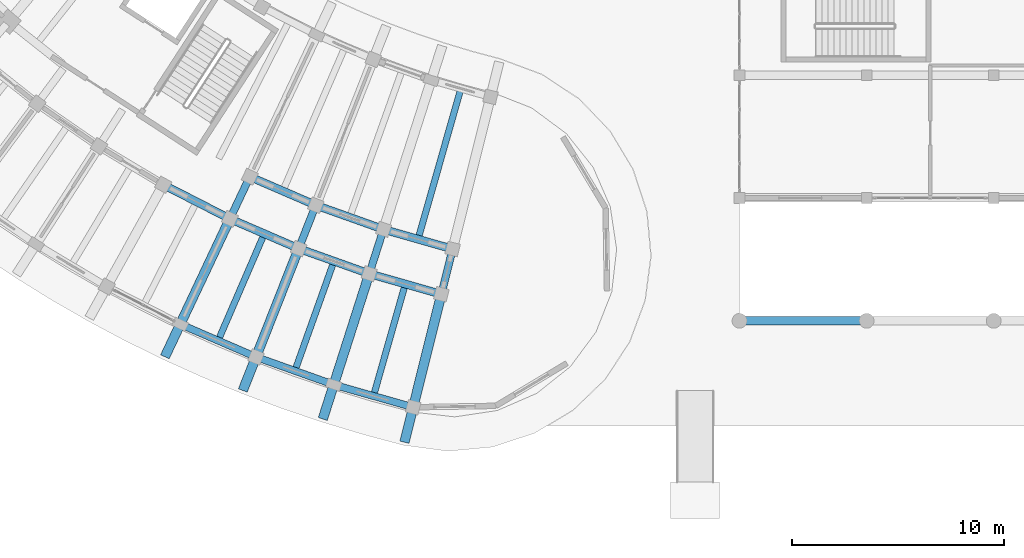
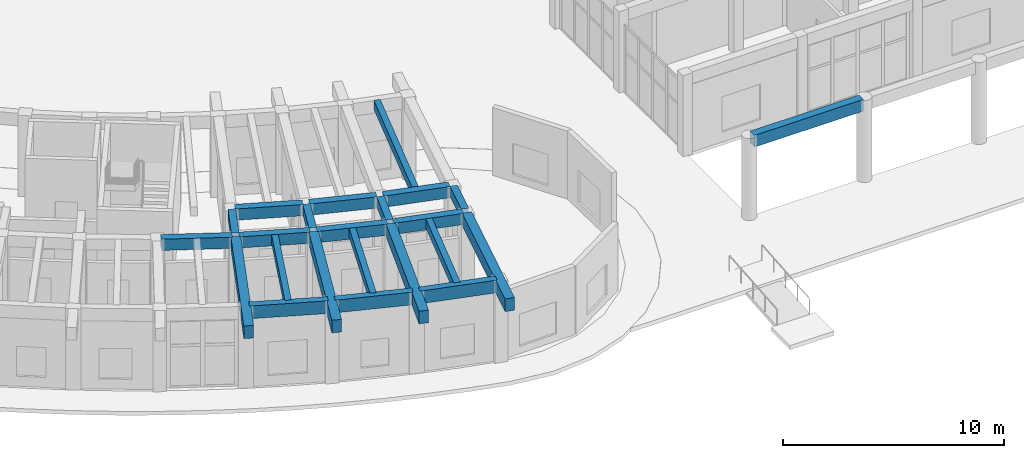
# One storey, part 10 of 132: 23 beams.
"""IFC4 building model written with IfcOpenShell, lengths in metres."""

from ifc_helpers import new_model, si_unit, direction, frame, origin, origin_2d, place, context, subcontext, project, spatial, rectangle, extrude, material, material_profile, profile_set, type_object, element, save


model = new_model("IFC4")

# Units and contexts
model_context = context("Model", 3, precision=1e-05, world=origin(), true_north=direction((0.0, 1.0)))
body_context = subcontext(model_context, "Body", "Model", "MODEL_VIEW")
ifc_project = project(units=[si_unit("LENGTHUNIT", "METRE"), si_unit("AREAUNIT", "SQUARE_METRE"), si_unit("VOLUMEUNIT", "CUBIC_METRE"), si_unit("PLANEANGLEUNIT", "RADIAN"), si_unit("MASSUNIT", "GRAM", prefix="KILO")], contexts=[model_context])

# Site, building, storey
site_placement = place(None, origin())
site = spatial("IfcSite", under=ifc_project, at=site_placement, CompositionType="ELEMENT")
building_placement = place(site_placement, origin())
building = spatial("IfcBuilding", under=site, at=building_placement, Name="Tanwirah Colonnade Gardens", CompositionType="ELEMENT")
storey_placement = place(building_placement, origin())
storey = spatial("IfcBuildingStorey", under=building, at=storey_placement, Name="L00", CompositionType="ELEMENT", Elevation=0.0)

# Beams
ifc_material_1 = material(Name="Precast concrete C40/50", Category="concrete")
ifc_material_profile_1 = material_profile(ifc_material_1, rectangle(XDim=0.35009765625, YDim=0.550048828125, at=origin_2d()), Name="PC-BM 350x550")
ifc_profile_set_1 = profile_set([ifc_material_profile_1], Name="Precast concrete C40/50")
beam_type_1 = type_object("IfcBeamType", Name="BM-PC350A", PredefinedType="BEAM", material=ifc_profile_set_1)
beam_1_placement = place(storey_placement, frame((42.818359375, 17.46826171875, 4.2099609375), z_axis=(-0.426483812015, -0.904495195172, 0.0), x_axis=(0.904495195172, -0.426483812015, 0.0)))
element("IfcBeam", 1, at=beam_1_placement, inside=storey, type_object=beam_type_1, Name="Block C L00 Corridor Tie Beam 13", PredefinedType="BEAM", context=body_context, shape_type="SweptSolid", body=[
    extrude(rectangle(XDim=0.35009765625, YDim=0.550048828125, at=origin_2d()), origin(), (0.0, 0.0, 1.0), 1.89990234375),
])
beam_2_placement = place(storey_placement, frame((45.94189453125, 16.1181640625, 4.2099609375), z_axis=(-0.366511033969, -0.930413704746, 0.0), x_axis=(0.930413704746, -0.366511033969, 0.0)))
element("IfcBeam", 2, at=beam_2_placement, inside=storey, type_object=beam_type_1, Name="Block C L00 Corridor Tie Beam 14", PredefinedType="BEAM", context=body_context, shape_type="SweptSolid", body=[
    extrude(rectangle(XDim=0.35009765625, YDim=0.550048828125, at=origin_2d()), origin(), (0.0, 0.0, 1.0), 1.899658203125),
])
for number, where, z_axis, x_axis, name in (
    (3, (49.14697265625, 14.975341796875, 4.2099609375), (-0.304794376797, -0.952418179096, 0.0), (0.952418179096, -0.304794376797, 0.0), "Block C L00 Corridor Tie Beam 15"),
    (4, (52.420166015625, 14.044677734375, 4.2099609375), (-0.241961122321, -0.970285945114, 0.0), (0.970285945114, -0.241961122321, 0.0), "Block C L00 Corridor Tie Beam 16"),
):
    element("IfcBeam", number, at=place(storey_placement, frame(where, z_axis=z_axis, x_axis=x_axis)), inside=storey, type_object=beam_type_1, Name=name, PredefinedType="BEAM", context=body_context, shape_type="SweptSolid", body=[
        extrude(rectangle(XDim=0.35009765625, YDim=0.550048828125, at=origin_2d()), origin(), (0.0, 0.0, 1.0), 1.89990234375),
    ])
ifc_material_profile_2 = material_profile(ifc_material_1, rectangle(XDim=0.3798828125, YDim=0.6201171875, at=origin_2d()), Name="PC-BM 380x620")
ifc_profile_set_2 = profile_set([ifc_material_profile_2], Name="Precast concrete C40/50")
beam_type_2 = type_object("IfcBeamType", Name="BM-PC380", PredefinedType="BEAM", material=ifc_profile_set_2)
beam_3_placement = place(storey_placement, frame((38.929443359375, 17.158447265625, 4.175048828125), z_axis=(0.890025451153, -0.45591084249, 0.0), x_axis=(0.45591084249, 0.890025451153, 0.0)))
element("IfcBeam", 5, at=beam_3_placement, inside=storey, type_object=beam_type_2, Name="Block C L00 Circumferential Beam 12-R2", PredefinedType="BEAM", context=body_context, shape_type="SweptSolid", body=[
    extrude(rectangle(XDim=0.3798828125, YDim=0.6201171875, at=origin_2d()), origin(), (0.0, 0.0, 1.0), 3.237060546875),
])
beam_4_placement = place(storey_placement, frame((43.02001953125, 17.54443359375, 4.175048828125), z_axis=(0.917936292782, -0.396727819032, 0.0), x_axis=(0.396727819032, 0.917936292782, 0.0)))
element("IfcBeam", 6, at=beam_4_placement, inside=storey, type_object=beam_type_2, Name="Block C L00 Circumferential Beam 13-R1", PredefinedType="BEAM", context=body_context, shape_type="SweptSolid", body=[
    extrude(rectangle(XDim=0.3798828125, YDim=0.6201171875, at=origin_2d()), origin(), (0.0, 0.0, 1.0), 3.093017578125),
])
beam_5_placement = place(storey_placement, frame((42.08154296875, 15.5546875, 4.175048828125), z_axis=(0.917943156181, -0.396711938338, 0.0), x_axis=(0.396711938338, 0.917943156181, 0.0)))
element("IfcBeam", 7, at=beam_5_placement, inside=storey, type_object=beam_type_2, Name="Block C L00 Circumferential Beam 13-R2", PredefinedType="BEAM", context=body_context, shape_type="SweptSolid", body=[
    extrude(rectangle(XDim=0.3798828125, YDim=0.6201171875, at=origin_2d()), origin(), (0.0, 0.0, 1.0), 3.237060546875),
])
beam_6_placement = place(storey_placement, frame((46.13818359375, 16.20751953125, 4.175048828125), z_axis=(0.941911444877, -0.335861325564, 0.0), x_axis=(0.335861325564, 0.941911444877, 0.0)))
element("IfcBeam", 8, at=beam_6_placement, inside=storey, type_object=beam_type_2, Name="Block C L00 Circumferential Beam 14-R1", PredefinedType="BEAM", context=body_context, shape_type="SweptSolid", body=[
    extrude(rectangle(XDim=0.3798828125, YDim=0.6201171875, at=origin_2d()), origin(), (0.0, 0.0, 1.0), 3.093017578125),
])
beam_7_placement = place(storey_placement, frame((45.331787109375, 14.16064453125, 4.175048828125), z_axis=(0.941917534978, -0.335844245597, 0.0), x_axis=(0.335844245597, 0.941917534978, 0.0)))
element("IfcBeam", 9, at=beam_7_placement, inside=storey, type_object=beam_type_2, Name="Block C L00 Circumferential Beam 14-R2", PredefinedType="BEAM", context=body_context, shape_type="SweptSolid", body=[
    extrude(rectangle(XDim=0.3798828125, YDim=0.6201171875, at=origin_2d()), origin(), (0.0, 0.0, 1.0), 3.237060546875),
])
beam_8_placement = place(storey_placement, frame((49.337158203125, 15.0771484375, 4.175048828125), z_axis=(0.961865763464, -0.273521942585, 0.0), x_axis=(0.273521942585, 0.961865763464, 0.0)))
element("IfcBeam", 10, at=beam_8_placement, inside=storey, type_object=beam_type_2, Name="Block C L00 Circumferential Beam 15-R1", PredefinedType="BEAM", context=body_context, shape_type="SweptSolid", body=[
    extrude(rectangle(XDim=0.3798828125, YDim=0.6201171875, at=origin_2d()), origin(), (0.0, 0.0, 1.0), 3.0927734375),
])
beam_9_placement = place(storey_placement, frame((48.666259765625, 12.98193359375, 4.175048828125), z_axis=(0.96185623635, -0.273555443366, 0.0), x_axis=(0.273555443366, 0.96185623635, 0.0)))
element("IfcBeam", 11, at=beam_9_placement, inside=storey, type_object=beam_type_2, Name="Block C L00 Circumferential Beam 15-R2", PredefinedType="BEAM", context=body_context, shape_type="SweptSolid", body=[
    extrude(rectangle(XDim=0.3798828125, YDim=0.6201171875, at=origin_2d()), origin(), (0.0, 0.0, 1.0), 3.237060546875),
])
ifc_material_2 = material(Name="Precast concrete C45/55", Category="concrete")
ifc_material_profile_3 = material_profile(ifc_material_2, rectangle(XDim=0.39990234375, YDim=0.64990234375, at=origin_2d()), Name="PC-BM 400x650")
ifc_profile_set_3 = profile_set([ifc_material_profile_3], Name="Precast concrete C45/55")
beam_type_3 = type_object("IfcBeamType", Name="BM-PC400", PredefinedType="BEAM", material=ifc_profile_set_3)
beam_10_placement = place(storey_placement, frame((66.14990234375, 10.800048828125, 4.205078125), z_axis=(1.0, 0.0, 0.0), x_axis=(0.0, 1.0, 0.0)))
element("IfcBeam", 12, at=beam_10_placement, inside=storey, type_object=beam_type_3, Name="Boulevard Shops W L00 Beam 0.0", PredefinedType="BEAM", context=body_context, shape_type="SweptSolid", body=[
    extrude(rectangle(XDim=0.39990234375, YDim=0.64990234375, at=origin_2d()), origin(), (0.0, 0.0, 1.0), 5.7001953125),
])
ifc_material_profile_4 = material_profile(ifc_material_2, rectangle(XDim=0.449951171875, YDim=0.699951171875, at=origin_2d()), Name="PC-BM 450x700")
ifc_profile_set_4 = profile_set([ifc_material_profile_4], Name="Precast concrete C45/55")
beam_type_4 = type_object("IfcBeamType", Name="BM-PC450", PredefinedType="BEAM", material=ifc_profile_set_4)
for number, where, z_axis, x_axis, name in (
    (13, (41.8798828125, 15.478515625, 4.135009765625), (-0.426567365945, -0.904455793453, 0.0), (0.904455793453, -0.426567365945, 0.0), "Block C L00 Outer Radial Precast Girder 13"),
    (14, (45.1357421875, 14.0712890625, 4.135009765625), (-0.366525426804, -0.930408034953, 0.0), (0.930408034953, -0.366525426804, 0.0), "Block C L00 Outer Radial Precast Girder 14"),
    (15, (48.476318359375, 12.880126953125, 4.135009765625), (-0.304849862001, -0.952400420851, 0.0), (0.952400420851, -0.304849862001, 0.0), "Block C L00 Outer Radial Precast Girder 15"),
    (16, (51.887939453125, 11.909912109375, 4.135009765625), (-0.241924461086, -0.970295086625, 0.0), (0.970295086625, -0.241924461086, 0.0), "Block C L00 Outer Radial Precast Girder 16"),
):
    element("IfcBeam", number, at=place(storey_placement, frame(where, z_axis=z_axis, x_axis=x_axis)), inside=storey, type_object=beam_type_4, Name=name, PredefinedType="BEAM", context=body_context, shape_type="SweptSolid", body=[
        extrude(rectangle(XDim=0.449951171875, YDim=0.699951171875, at=origin_2d()), origin(), (0.0, 0.0, 1.0), 7.050048828125),
    ])
ifc_material_profile_5 = material_profile(ifc_material_1, rectangle(XDim=0.300048828125, YDim=0.5, at=origin_2d()), Name="PC-JST 300x500")
ifc_profile_set_5 = profile_set([ifc_material_profile_5], Name="Precast concrete C40/50")
beam_type_5 = type_object("IfcBeamType", Name="JST-PC300", PredefinedType="JOIST", material=ifc_profile_set_5)
for number, where, z_axis, x_axis, name in (
    (17, (43.50830078125, 14.77587890625, 4.235107421875), (-0.396746282, -0.917928312952, 0.0), (0.917928312952, -0.396746282, 0.0), "Block C L00 Precast Floor Joist 13"),
    (18, (46.806396484375, 13.4765625, 4.235107421875), (-0.335862957845, -0.941910862846, 0.0), (0.941910862846, -0.335862957845, 0.0), "Block C L00 Precast Floor Joist 14"),
    (19, (50.182373046875, 12.39599609375, 4.235107421875), (-0.27352550206, -0.961864751263, 0.0), (0.961864751263, -0.27352550206, 0.0), "Block C L00 Precast Floor Joist 15"),
):
    element("IfcBeam", number, at=place(storey_placement, frame(where, z_axis=z_axis, x_axis=x_axis)), inside=storey, type_object=beam_type_5, Name=name, PredefinedType="JOIST", context=body_context, shape_type="SweptSolid", body=[
        extrude(rectangle(XDim=0.300048828125, YDim=0.5, at=origin_2d()), origin(), (0.0, 0.0, 1.0), 5.260009765625),
    ])
beam_11_placement = place(storey_placement, frame((52.808349609375, 21.6298828125, 4.235107421875), z_axis=(-0.273532000762, -0.961862903204, 0.0), x_axis=(0.961862903204, -0.273532000762, 0.0)))
element("IfcBeam", 20, at=beam_11_placement, inside=storey, type_object=beam_type_5, Name="Block C L00 Inner Precast Floor Joist 15", PredefinedType="JOIST", context=body_context, shape_type="SweptSolid", body=[
    extrude(rectangle(XDim=0.300048828125, YDim=0.5, at=origin_2d()), origin(), (0.0, 0.0, 1.0), 7.159912109375),
])
ifc_material_profile_6 = material_profile(ifc_material_2, rectangle(XDim=0.340087890625, YDim=0.699951171875, at=origin_2d()), Name="PC-SP 340x700")
ifc_profile_set_6 = profile_set([ifc_material_profile_6], Name="Precast concrete C45/55")
beam_type_6 = type_object("IfcBeamType", Name="SP-PC340", PredefinedType="SPANDREL", material=ifc_profile_set_6)
beam_12_placement = place(storey_placement, frame((39.735595703125, 10.580078125, 4.135009765625), z_axis=(0.917925861765, -0.396751953118, 0.0), x_axis=(0.396751953118, 0.917925861765, 0.0)))
element("IfcBeam", 21, at=beam_12_placement, inside=storey, type_object=beam_type_6, Name="Block C L00 Circumferential Beam 13-R3", PredefinedType="SPANDREL", context=body_context, shape_type="SweptSolid", body=[
    extrude(rectangle(XDim=0.340087890625, YDim=0.699951171875, at=origin_2d()), origin(), (0.0, 0.0, 1.0), 3.5966796875),
])
for number, where, z_axis, x_axis, name in (
    (22, (43.316162109375, 9.043212890625, 4.135009765625), (0.941915315404, -0.335850470607, 0.0), (0.335850470607, 0.941915315404, 0.0), "Block C L00 Circumferential Beam 14-R3"),
    (23, (46.989501953125, 7.743896484375, 4.135009765625), (0.96186131547, -0.273537583893, 0.0), (0.273537583893, 0.96186131547, 0.0), "Block C L00 Circumferential Beam 15-R3"),
):
    element("IfcBeam", number, at=place(storey_placement, frame(where, z_axis=z_axis, x_axis=x_axis)), inside=storey, type_object=beam_type_6, Name=name, PredefinedType="SPANDREL", context=body_context, shape_type="SweptSolid", body=[
        extrude(rectangle(XDim=0.340087890625, YDim=0.699951171875, at=origin_2d()), origin(), (0.0, 0.0, 1.0), 3.596923828125),
    ])

save(model, "model.ifc")
